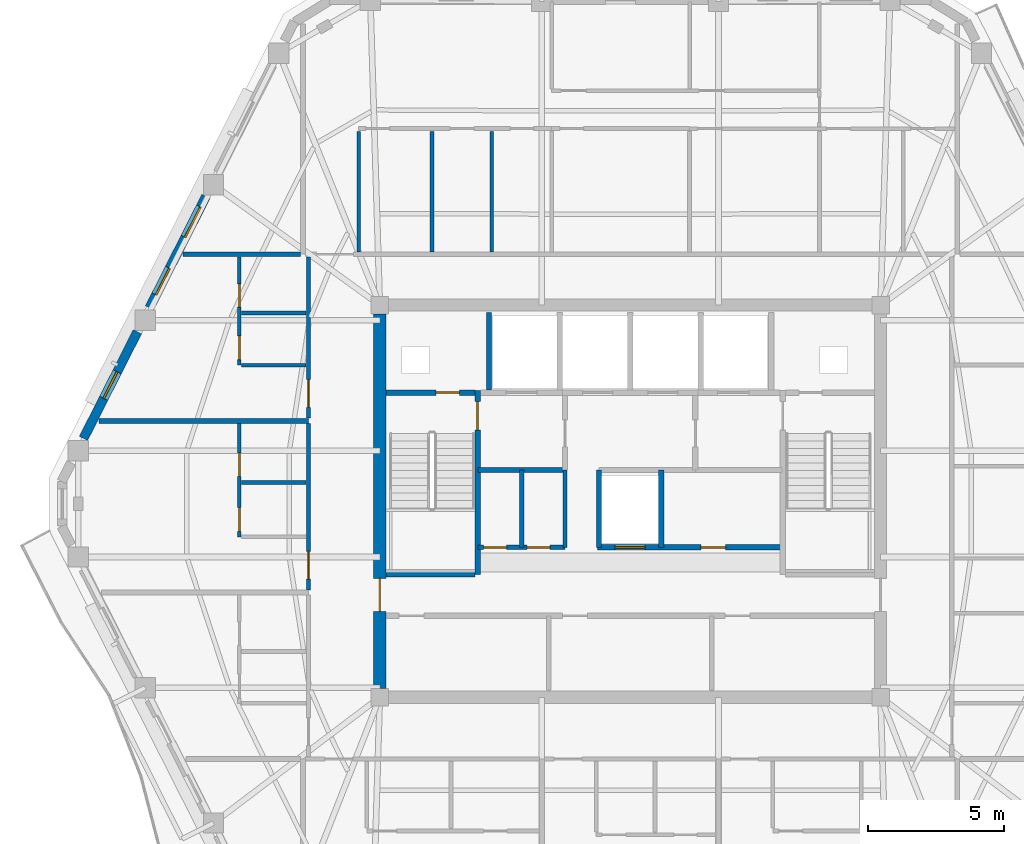
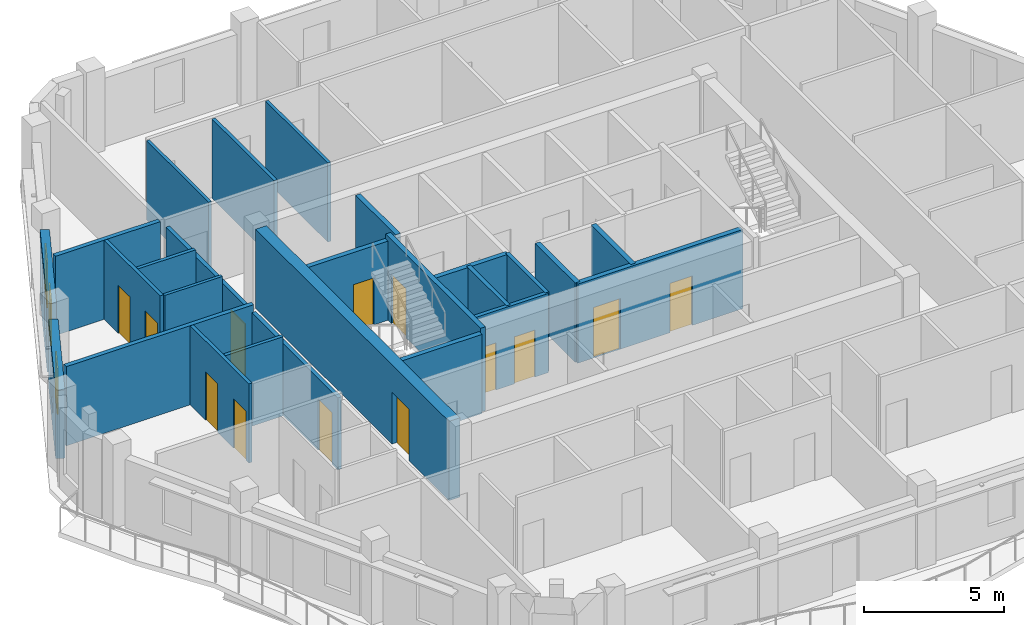
# One storey, part 5 of 11: 26 walls, 13 doors, 3 windows, 16 openings.
"""IFC4 building model written with IfcOpenShell, lengths in metres."""

from ifc_helpers import new_model, si_unit, direction, frame, frame_2d, origin, place, context, subcontext, project, spatial, rectangle, extrude, material, layer, layer_set, type_object, element, fill, save


model = new_model("IFC4")

# Units and contexts
model_context = context("Model", 3, precision=1e-05, world=origin(), true_north=direction((0.0, 1.0)))
body_context = subcontext(model_context, "Body", "Model", "MODEL_VIEW")
ifc_project = project(units=[si_unit("LENGTHUNIT", "METRE"), si_unit("AREAUNIT", "SQUARE_METRE"), si_unit("VOLUMEUNIT", "CUBIC_METRE"), si_unit("PLANEANGLEUNIT", "RADIAN"), si_unit("MASSUNIT", "GRAM", prefix="KILO")], contexts=[model_context])

# Site, building, storey
site_placement = place(None, origin())
site = spatial("IfcSite", under=ifc_project, at=site_placement, CompositionType="ELEMENT")
building_placement = place(site_placement, origin())
building = spatial("IfcBuilding", under=site, at=building_placement, Name="Cinnabar Lancet Tower", CompositionType="ELEMENT")
storey_placement = place(building_placement, frame((0.0, 0.0, 241.60009765625)))
storey = spatial("IfcBuildingStorey", under=building, at=storey_placement, Name="L64", CompositionType="ELEMENT", Elevation=241.60009765625)

# Wall, openings, doors
ifc_material_1 = material(Name="Acoustic twin-stud gypsum partition", Category="gypsum")
ifc_layer_1 = layer(ifc_material_1, 0.159912109375)
ifc_layer_set_1 = layer_set([ifc_layer_1], Name="Acoustic twin-stud gypsum partition")
wall_type_1 = type_object("IfcWallType", Name="ARC-WL-CORR-160", PredefinedType="PARTITIONING", material=ifc_layer_set_1)
wall_1_placement = place(storey_placement, frame((26.800048828125, 24.199951171875, 0.0), z_axis=(0.0, 0.0, 1.0), x_axis=(1.0, 0.0, 0.0)))
wall_1 = element("IfcWall", 1, at=wall_1_placement, inside=storey, type_object=wall_type_1, Name="CW-REC5S-L64", PredefinedType="PARTITIONING", context=body_context, shape_type="SweptSolid", body=[
    extrude(rectangle(XDim=3.199951171875, YDim=0.159912109375, at=frame_2d((1.60009765625, 0.0))), origin(), (0.0, 0.0, 1.0), 3.449951171875),
])
opening_1_placement = place(wall_1_placement, frame((0.199951171875, 0.0, 0.0)))
opening_1 = element("IfcOpeningElement", 2, at=opening_1_placement, cuts=wall_1, Name="Opening PD-02", PredefinedType="OPENING", context=body_context, shape_type="SweptSolid", body=[
    extrude(rectangle(XDim=0.85009765625, YDim=2.050048828125, at=frame_2d((0.425048828125, 1.02490234375))), frame((0.0, 0.08984375, 0.0), z_axis=(0.0, -1.0, 0.0), x_axis=(1.0, 0.0, 0.0)), (0.0, 0.0, 1.0), 0.179931640625),
])
opening_2_placement = place(wall_1_placement, frame((1.800048828125, 0.0, 0.0)))
opening_2 = element("IfcOpeningElement", 3, at=opening_2_placement, cuts=wall_1, Name="Opening PD-02", PredefinedType="OPENING", context=body_context, shape_type="SweptSolid", body=[
    extrude(rectangle(XDim=0.85009765625, YDim=2.050048828125, at=frame_2d((0.425048828125, 1.02490234375))), frame((0.0, 0.08984375, 0.0), z_axis=(0.0, -1.0, 0.0), x_axis=(1.0, 0.0, 0.0)), (0.0, 0.0, 1.0), 0.179931640625),
])
ifc_material_2 = material(Name="Fire-rated steel riser access door", Category="steel")
door_type_1 = type_object("IfcDoorType", Name="ARC-DR-RISER", OperationType="NOTDEFINED", PredefinedType="DOOR", material=ifc_material_2)
door_1_placement = place(opening_1_placement, origin())
door_1 = element("IfcDoor", 4, at=door_1_placement, inside=storey, type_object=door_type_1, Name="DR-L64-REC5A", OperationType="SINGLE_SWING_LEFT", OverallHeight=2.050048828125, OverallWidth=0.85009765625, PredefinedType="DOOR", context=body_context, shape_type="SweptSolid", body=[
    extrude(rectangle(XDim=0.85009765625, YDim=2.050048828125, at=frame_2d((0.425048828125, 1.02490234375))), frame((0.0, 0.02490234375, 0.0), z_axis=(0.0, -1.0, 0.0), x_axis=(1.0, 0.0, 0.0)), (0.0, 0.0, 1.0), 0.050048828125),
])
fill(opening_1, door_1)
door_2_placement = place(opening_2_placement, origin())
door_2 = element("IfcDoor", 5, at=door_2_placement, inside=storey, type_object=door_type_1, Name="DR-L64-REC5B", OperationType="SINGLE_SWING_RIGHT", OverallHeight=2.050048828125, OverallWidth=0.85009765625, PredefinedType="DOOR", context=body_context, shape_type="SweptSolid", body=[
    extrude(rectangle(XDim=0.85009765625, YDim=2.050048828125, at=frame_2d((0.425048828125, 1.02490234375))), frame((0.0, 0.02490234375, 0.0), z_axis=(0.0, -1.0, 0.0), x_axis=(1.0, 0.0, 0.0)), (0.0, 0.0, 1.0), 0.050048828125),
])
fill(opening_2, door_2)

# Walls
for number, where, z_axis, x_axis, name in (
    (6, (30.0, 24.199951171875, 0.0), (0.0, 0.0, 1.0), (0.0, 1.0, 0.0), "CW-REC5E-L64"),
    (7, (28.39990234375, 24.199951171875, 0.0), (0.0, 0.0, 1.0), (0.0, 1.0, 0.0), "CW-REC5D-L64"),
):
    element("IfcWall", number, at=place(storey_placement, frame(where, z_axis=z_axis, x_axis=x_axis)), inside=storey, type_object=wall_type_1, Name=name, PredefinedType="PARTITIONING", context=body_context, shape_type="SweptSolid", body=[
        extrude(rectangle(XDim=2.85009765625, YDim=0.159912109375, at=frame_2d((1.425048828125, 0.0))), origin(), (0.0, 0.0, 1.0), 3.449951171875),
    ])

# Wall, opening, door
wall_2_placement = place(storey_placement, frame((20.550048828125, 22.633056640625, 0.0), z_axis=(0.0, 0.0, 1.0), x_axis=(0.0, 1.0, 0.0)))
wall_2 = element("IfcWall", 8, at=wall_2_placement, inside=storey, type_object=wall_type_1, Name="UW-L64-W02-COR", PredefinedType="PARTITIONING", context=body_context, shape_type="SweptSolid", body=[
    extrude(rectangle(XDim=6.134033203125, YDim=0.159912109375, at=frame_2d((3.06689453125, 0.0))), origin(), (0.0, 0.0, 1.0), 3.136962890625),
])
opening_3_placement = place(wall_2_placement, frame((0.39990234375, 0.0, 0.0)))
opening_3 = element("IfcOpeningElement", 9, at=opening_3_placement, cuts=wall_2, Name="Opening UD-01", PredefinedType="OPENING", context=body_context, shape_type="SweptSolid", body=[
    extrude(rectangle(XDim=1.02001953125, YDim=2.25, at=frame_2d((0.510009765625, 1.125))), frame((0.0, 0.08984375, 0.0), z_axis=(0.0, -1.0, 0.0), x_axis=(1.0, 0.0, 0.0)), (0.0, 0.0, 1.0), 0.179931640625),
])
ifc_material_3 = material(Name="Solid timber fire-rated apartment entrance door", Category="wood")
door_type_2 = type_object("IfcDoorType", Name="ARC-DR-UNIT", OperationType="NOTDEFINED", PredefinedType="DOOR", material=ifc_material_3)
door_3_placement = place(opening_3_placement, origin())
door_3 = element("IfcDoor", 10, at=door_3_placement, inside=storey, type_object=door_type_2, Name="DR-L64-W02-ENT", OperationType="SINGLE_SWING_LEFT", OverallHeight=2.25, OverallWidth=1.02001953125, PredefinedType="DOOR", context=body_context, shape_type="SweptSolid", body=[
    extrude(rectangle(XDim=1.02001953125, YDim=2.25, at=frame_2d((0.510009765625, 1.125))), frame((0.0, 0.02490234375, 0.0), z_axis=(0.0, -1.0, 0.0), x_axis=(1.0, 0.0, 0.0)), (0.0, 0.0, 1.0), 0.050048828125),
])
fill(opening_3, door_3)

wall_3_placement = place(storey_placement, frame((20.550048828125, 28.95703125, 0.0), z_axis=(0.0, 0.0, 1.0), x_axis=(0.0, 1.0, 0.0)))
wall_3 = element("IfcWall", 11, at=wall_3_placement, inside=storey, type_object=wall_type_1, Name="UW-L64-W03-COR", PredefinedType="PARTITIONING", context=body_context, shape_type="SweptSolid", body=[
    extrude(rectangle(XDim=5.947998046875, YDim=0.159912109375, at=frame_2d((2.97412109375, 0.0))), origin(), (0.0, 0.0, 1.0), 3.136962890625),
])
opening_4_placement = place(wall_3_placement, frame((0.39990234375, 0.0, 0.0)))
opening_4 = element("IfcOpeningElement", 12, at=opening_4_placement, cuts=wall_3, Name="Opening UD-01", PredefinedType="OPENING", context=body_context, shape_type="SweptSolid", body=[
    extrude(rectangle(XDim=1.02001953125, YDim=2.25, at=frame_2d((0.510009765625, 1.125))), frame((0.0, 0.08984375, 0.0), z_axis=(0.0, -1.0, 0.0), x_axis=(1.0, 0.0, 0.0)), (0.0, 0.0, 1.0), 0.179931640625),
])
door_4_placement = place(opening_4_placement, origin())
door_4 = element("IfcDoor", 13, at=door_4_placement, inside=storey, type_object=door_type_2, Name="DR-L64-W03-ENT", OperationType="SINGLE_SWING_RIGHT", OverallHeight=2.25, OverallWidth=1.02001953125, PredefinedType="DOOR", context=body_context, shape_type="SweptSolid", body=[
    extrude(rectangle(XDim=1.02001953125, YDim=2.25, at=frame_2d((0.510009765625, 1.125))), frame((0.0, 0.02490234375, 0.0), z_axis=(0.0, -1.0, 0.0), x_axis=(1.0, 0.0, 0.0)), (0.0, 0.0, 1.0), 0.050048828125),
])
fill(opening_4, door_4)

# Walls
ifc_material_4 = material(Name="Fire-rated twin-frame acoustic drywall", Category="gypsum")
ifc_layer_2 = layer(ifc_material_4, 0.179931640625)
ifc_layer_set_2 = layer_set([ifc_layer_2], Name="Fire-rated twin-frame acoustic drywall")
wall_type_2 = type_object("IfcWallType", Name="ARC-WL-PARTY-180", PredefinedType="PARTITIONING", material=ifc_layer_set_2)
wall_4_placement = place(storey_placement, frame((15.93310546875, 35.0, 0.0), z_axis=(0.0, 0.0, 1.0), x_axis=(1.0, 0.0, 0.0)))
element("IfcWall", 14, at=wall_4_placement, inside=storey, type_object=wall_type_2, Name="PW-L64-WNB", PredefinedType="PARTITIONING", context=body_context, shape_type="SweptSolid", body=[
    extrude(rectangle(XDim=4.32177734375, YDim=0.179931640625, at=frame_2d((2.160888671875, 0.0))), origin(), (0.0, 0.0, 1.0), 3.449951171875),
])
wall_5_placement = place(storey_placement, frame((12.8291015625, 28.862060546875, 0.0), z_axis=(0.0, 0.0, 1.0), x_axis=(1.0, 0.0, 0.0)))
element("IfcWall", 15, at=wall_5_placement, inside=storey, type_object=wall_type_2, Name="PW-L64-WPTY-2", PredefinedType="PARTITIONING", context=body_context, shape_type="SweptSolid", body=[
    extrude(rectangle(XDim=7.720947265625, YDim=0.179931640625, at=frame_2d((3.8603515625, 0.0))), origin(), (0.0, 0.0, 1.0), 3.449951171875),
])
ifc_material_5 = material(Name="Autoclaved aerated concrete blockwork", Category="masonry")
ifc_layer_3 = layer(ifc_material_5, 0.199951171875)
ifc_layer_set_3 = layer_set([ifc_layer_3], Name="Autoclaved aerated concrete blockwork")
wall_type_3 = type_object("IfcWallType", Name="ARC-WL-SHAFT-200", PredefinedType="PLUMBINGWALL", material=ifc_layer_set_3)
wall_6_placement = place(storey_placement, frame((23.405029296875, 23.199951171875, 0.0), z_axis=(0.0, 0.0, 1.0), x_axis=(1.0, 0.0, 0.0)))
element("IfcWall", 16, at=wall_6_placement, inside=storey, type_object=wall_type_3, Name="CW-ST1S-L64", PredefinedType="PLUMBINGWALL", context=body_context, shape_type="SweptSolid", body=[
    extrude(rectangle(XDim=3.27001953125, YDim=0.199951171875, at=frame_2d((1.635009765625, 0.0))), origin(), (0.0, 0.0, 1.0), 3.449951171875),
])

# Wall, opening, door
wall_7_placement = place(storey_placement, frame((23.405029296875, 29.89990234375, 0.0), z_axis=(0.0, 0.0, 1.0), x_axis=(1.0, 0.0, 0.0)))
wall_7 = element("IfcWall", 17, at=wall_7_placement, inside=storey, type_object=wall_type_3, Name="CW-NSH-W-L64", PredefinedType="PLUMBINGWALL", context=body_context, shape_type="SweptSolid", body=[
    extrude(rectangle(XDim=3.27001953125, YDim=0.199951171875, at=frame_2d((1.635009765625, 0.0))), origin(), (0.0, 0.0, 1.0), 3.449951171875),
])
opening_5_placement = place(wall_7_placement, frame((1.85009765625, 0.0, 0.0)))
opening_5 = element("IfcOpeningElement", 18, at=opening_5_placement, cuts=wall_7, Name="Opening PD-02", PredefinedType="OPENING", context=body_context, shape_type="SweptSolid", body=[
    extrude(rectangle(XDim=0.85009765625, YDim=2.050048828125, at=frame_2d((0.425048828125, 1.02490234375))), frame((0.0, 0.10986328125, 0.0), z_axis=(0.0, -1.0, 0.0), x_axis=(1.0, 0.0, 0.0)), (0.0, 0.0, 1.0), 0.219970703125),
])
door_5_placement = place(opening_5_placement, origin())
door_5 = element("IfcDoor", 19, at=door_5_placement, inside=storey, type_object=door_type_1, Name="L64 West Riser Access Door", OperationType="SINGLE_SWING_LEFT", OverallHeight=2.050048828125, OverallWidth=0.85009765625, PredefinedType="DOOR", context=body_context, shape_type="SweptSolid", body=[
    extrude(rectangle(XDim=0.85009765625, YDim=2.050048828125, at=frame_2d((0.425048828125, 1.02490234375))), frame((0.0, 0.02490234375, 0.0), z_axis=(0.0, -1.0, 0.0), x_axis=(1.0, 0.0, 0.0)), (0.0, 0.0, 1.0), 0.050048828125),
])
fill(opening_5, door_5)

# Walls
wall_8_placement = place(storey_placement, frame((27.199951171875, 30.0, 0.0), z_axis=(0.0, 0.0, 1.0), x_axis=(0.0, 1.0, 0.0)))
element("IfcWall", 20, at=wall_8_placement, inside=storey, type_object=wall_type_3, Name="CW-NSH-D1-L64", PredefinedType="PLUMBINGWALL", context=body_context, shape_type="SweptSolid", body=[
    extrude(rectangle(XDim=2.85009765625, YDim=0.199951171875, at=frame_2d((1.425048828125, 0.0))), origin(), (0.0, 0.0, 1.0), 3.449951171875),
])
wall_9_placement = place(storey_placement, frame((26.800048828125, 27.050048828125, 0.0), z_axis=(0.0, 0.0, 1.0), x_axis=(1.0, 0.0, 0.0)))
element("IfcWall", 21, at=wall_9_placement, inside=storey, type_object=wall_type_3, Name="CW-FF1S-L64", PredefinedType="PLUMBINGWALL", context=body_context, shape_type="SweptSolid", body=[
    extrude(rectangle(XDim=3.199951171875, YDim=0.199951171875, at=frame_2d((1.60009765625, 0.0))), origin(), (0.0, 0.0, 1.0), 3.449951171875),
])

# Wall, openings, doors
wall_10_placement = place(storey_placement, frame((31.199951171875, 24.199951171875, 0.0), z_axis=(0.0, 0.0, 1.0), x_axis=(1.0, 0.0, 0.0)))
wall_10 = element("IfcWall", 22, at=wall_10_placement, inside=storey, type_object=wall_type_3, Name="CW-PL96S-L64", PredefinedType="PLUMBINGWALL", context=body_context, shape_type="SweptSolid", body=[
    extrude(rectangle(XDim=6.800048828125, YDim=0.199951171875, at=frame_2d((3.39990234375, 0.0))), origin(), (0.0, 0.0, 1.0), 3.449951171875),
])
opening_6_placement = place(wall_10_placement, frame((0.64990234375, 0.0, 0.0)))
opening_6 = element("IfcOpeningElement", 23, at=opening_6_placement, cuts=wall_10, Name="Opening LD-01", PredefinedType="OPENING", context=body_context, shape_type="SweptSolid", body=[
    extrude(rectangle(XDim=1.10009765625, YDim=2.199951171875, at=frame_2d((0.550048828125, 1.10009765625))), frame((0.0, 0.10986328125, 0.0), z_axis=(0.0, -1.0, 0.0), x_axis=(1.0, 0.0, 0.0)), (0.0, 0.0, 1.0), 0.219970703125),
])
opening_7_placement = place(wall_10_placement, frame((3.800048828125, 0.0, 0.0)))
opening_7 = element("IfcOpeningElement", 24, at=opening_7_placement, cuts=wall_10, Name="Opening RD-01", PredefinedType="OPENING", context=body_context, shape_type="SweptSolid", body=[
    extrude(rectangle(XDim=0.919921875, YDim=2.14990234375, at=frame_2d((0.4599609375, 1.074951171875))), frame((0.0, 0.10986328125, 0.0), z_axis=(0.0, -1.0, 0.0), x_axis=(1.0, 0.0, 0.0)), (0.0, 0.0, 1.0), 0.219970703125),
])
ifc_material_6 = material(Name="Brushed stainless steel sliding lift door", Category="steel")
door_type_3 = type_object("IfcDoorType", Name="ARC-DR-LD-PASS", OperationType="NOTDEFINED", PredefinedType="DOOR", material=ifc_material_6)
door_6_placement = place(opening_6_placement, origin())
door_6 = element("IfcDoor", 25, at=door_6_placement, inside=storey, type_object=door_type_3, Name="L64 Lift PL-9 Landing Door", OperationType="DOUBLE_DOOR_SLIDING", OverallHeight=2.199951171875, OverallWidth=1.10009765625, PredefinedType="DOOR", context=body_context, shape_type="SweptSolid", body=[
    extrude(rectangle(XDim=1.10009765625, YDim=2.199951171875, at=frame_2d((0.550048828125, 1.10009765625))), frame((0.0, 0.02490234375, 0.0), z_axis=(0.0, -1.0, 0.0), x_axis=(1.0, 0.0, 0.0)), (0.0, 0.0, 1.0), 0.050048828125),
])
fill(opening_6, door_6)
ifc_material_7 = material(Name="Engineered timber bedroom door", Category="wood")
door_type_4 = type_object("IfcDoorType", Name="ARC-DR-ROOM", OperationType="NOTDEFINED", PredefinedType="DOOR", material=ifc_material_7)
door_7_placement = place(opening_7_placement, origin())
door_7 = element("IfcDoor", 26, at=door_7_placement, inside=storey, type_object=door_type_4, Name="DR-L64-REC6", OperationType="SINGLE_SWING_RIGHT", OverallHeight=2.14990234375, OverallWidth=0.919921875, PredefinedType="DOOR", context=body_context, shape_type="SweptSolid", body=[
    extrude(rectangle(XDim=0.919921875, YDim=2.14990234375, at=frame_2d((0.4599609375, 1.074951171875))), frame((0.0, 0.02490234375, 0.0), z_axis=(0.0, -1.0, 0.0), x_axis=(1.0, 0.0, 0.0)), (0.0, 0.0, 1.0), 0.050048828125),
])
fill(opening_7, door_7)

# Walls
for number, where, z_axis, x_axis, name in (
    (27, (31.25, 24.199951171875, 0.0), (0.0, 0.0, 1.0), (0.0, 1.0, 0.0), "CW-PL9W-L64"),
    (28, (33.550048828125, 24.199951171875, 0.0), (0.0, 0.0, 1.0), (0.0, 1.0, 0.0), "CW-PL9E-L64"),
):
    element("IfcWall", number, at=place(storey_placement, frame(where, z_axis=z_axis, x_axis=x_axis)), inside=storey, type_object=wall_type_3, Name=name, PredefinedType="PLUMBINGWALL", context=body_context, shape_type="SweptSolid", body=[
        extrude(rectangle(XDim=2.85009765625, YDim=0.199951171875, at=frame_2d((1.425048828125, 0.0))), origin(), (0.0, 0.0, 1.0), 3.449951171875),
    ])
ifc_material_8 = material(Name="Gypsum plasterboard stud partition", Category="gypsum")
ifc_layer_4 = layer(ifc_material_8, 0.125)
ifc_layer_set_4 = layer_set([ifc_layer_4], Name="Gypsum plasterboard stud partition")
wall_type_4 = type_object("IfcWallType", Name="ARC-WL-UNIT-125", PredefinedType="PARTITIONING", material=ifc_layer_set_4)
for number, where, z_axis, x_axis, name in (
    (29, (22.39990234375, 35.0849609375, 0.0), (0.0, 0.0, 1.0), (0.0, 1.0, 0.0), "UW-L64-N01-FOYE"),
    (30, (27.304931640625, 35.0849609375, 0.0), (0.0, 0.0, 1.0), (0.0, 1.0, 0.0), "UW-L64-N01-STD"),
):
    element("IfcWall", number, at=place(storey_placement, frame(where, z_axis=z_axis, x_axis=x_axis)), inside=storey, type_object=wall_type_4, Name=name, PredefinedType="PARTITIONING", context=body_context, shape_type="SweptSolid", body=[
        extrude(rectangle(XDim=4.43896484375, YDim=0.125, at=frame_2d((2.219482421875, 0.0))), origin(), (0.0, 0.0, 1.0), 3.449951171875),
    ])
wall_11_placement = place(storey_placement, frame((18.0849609375, 30.912109375, 0.0), z_axis=(0.0, 0.0, 1.0), x_axis=(1.0, 0.0, 0.0)))
element("IfcWall", 31, at=wall_11_placement, inside=storey, type_object=wall_type_4, Name="UW-L64-W03-FOYN", PredefinedType="PARTITIONING", context=body_context, shape_type="SweptSolid", body=[
    extrude(rectangle(XDim=2.380126953125, YDim=0.125, at=frame_2d((1.18994140625, 0.0))), origin(), (0.0, 0.0, 1.0), 3.449951171875),
])
ifc_material_9 = material(Name="Moisture-resistant cement-board plumbing wall", Category="masonry")
ifc_layer_5 = layer(ifc_material_9, 0.139892578125)
ifc_layer_set_5 = layer_set([ifc_layer_5], Name="Moisture-resistant cement-board plumbing wall")
wall_type_5 = type_object("IfcWallType", Name="ARC-WL-WET-140", PredefinedType="PLUMBINGWALL", material=ifc_layer_set_5)
wall_12_placement = place(storey_placement, frame((25.10107421875, 35.0849609375, 0.0), z_axis=(0.0, 0.0, 1.0), x_axis=(0.0, 1.0, 0.0)))
element("IfcWall", 32, at=wall_12_placement, inside=storey, type_object=wall_type_5, Name="UW-L64-N01-KDV", PredefinedType="PLUMBINGWALL", context=body_context, shape_type="SweptSolid", body=[
    extrude(rectangle(XDim=4.43896484375, YDim=0.139892578125, at=frame_2d((2.219482421875, 0.0))), origin(), (0.0, 0.0, 1.0), 3.449951171875),
])

# Wall, openings, doors
wall_13_placement = place(storey_placement, frame((18.0, 24.587890625, 0.0), z_axis=(0.0, 0.0, 1.0), x_axis=(0.0, 1.0, 0.0)))
wall_13 = element("IfcWall", 33, at=wall_13_placement, inside=storey, type_object=wall_type_5, Name="UW-L64-W02-SPL", PredefinedType="PLUMBINGWALL", context=body_context, shape_type="SweptSolid", body=[
    extrude(rectangle(XDim=4.17919921875, YDim=0.139892578125, at=frame_2d((2.089599609375, 0.0))), origin(), (0.0, 0.0, 1.0), 3.449951171875),
])
opening_8_placement = place(wall_13_placement, frame((2.22607421875, 0.0, 0.0)))
opening_8 = element("IfcOpeningElement", 34, at=opening_8_placement, cuts=wall_13, Name="Opening BD-01", PredefinedType="OPENING", context=body_context, shape_type="SweptSolid", body=[
    extrude(rectangle(XDim=0.860107421875, YDim=2.10009765625, at=frame_2d((0.43017578125, 1.050048828125))), frame((0.0, 0.079833984375, 0.0), z_axis=(0.0, -1.0, 0.0), x_axis=(1.0, 0.0, 0.0)), (0.0, 0.0, 1.0), 0.159912109375),
])
opening_9_placement = place(wall_13_placement, frame((0.199951171875, 0.0, 0.0)))
opening_9 = element("IfcOpeningElement", 35, at=opening_9_placement, cuts=wall_13, Name="Opening RD-02", PredefinedType="OPENING", context=body_context, shape_type="SweptSolid", body=[
    extrude(rectangle(XDim=0.8798828125, YDim=2.14990234375, at=frame_2d((0.43994140625, 1.074951171875))), frame((0.0, 0.079833984375, 0.0), z_axis=(0.0, -1.0, 0.0), x_axis=(1.0, 0.0, 0.0)), (0.0, 0.0, 1.0), 0.159912109375),
])
ifc_material_10 = material(Name="Moisture-resistant timber bathroom door", Category="wood")
door_type_5 = type_object("IfcDoorType", Name="ARC-DR-BATH", OperationType="NOTDEFINED", PredefinedType="DOOR", material=ifc_material_10)
door_8_placement = place(opening_8_placement, origin())
door_8 = element("IfcDoor", 36, at=door_8_placement, inside=storey, type_object=door_type_5, Name="DR-L64-W02-BTH", OperationType="SINGLE_SWING_LEFT", OverallHeight=2.10009765625, OverallWidth=0.860107421875, PredefinedType="DOOR", context=body_context, shape_type="SweptSolid", body=[
    extrude(rectangle(XDim=0.860107421875, YDim=2.10009765625, at=frame_2d((0.43017578125, 1.050048828125))), frame((0.0, 0.02490234375, 0.0), z_axis=(0.0, -1.0, 0.0), x_axis=(1.0, 0.0, 0.0)), (0.0, 0.0, 1.0), 0.050048828125),
])
fill(opening_8, door_8)
ifc_material_11 = material(Name="Engineered timber study door", Category="wood")
door_type_6 = type_object("IfcDoorType", Name="ARC-DR-STUDY", OperationType="NOTDEFINED", PredefinedType="DOOR", material=ifc_material_11)
door_9_placement = place(opening_9_placement, origin())
door_9 = element("IfcDoor", 37, at=door_9_placement, inside=storey, type_object=door_type_6, Name="DR-L64-W02-KIT", OperationType="SINGLE_SWING_RIGHT", OverallHeight=2.14990234375, OverallWidth=0.8798828125, PredefinedType="DOOR", context=body_context, shape_type="SweptSolid", body=[
    extrude(rectangle(XDim=0.8798828125, YDim=2.14990234375, at=frame_2d((0.43994140625, 1.074951171875))), frame((0.0, 0.02490234375, 0.0), z_axis=(0.0, -1.0, 0.0), x_axis=(1.0, 0.0, 0.0)), (0.0, 0.0, 1.0), 0.050048828125),
])
fill(opening_9, door_9)

# Wall
wall_14_placement = place(storey_placement, frame((18.0849609375, 26.593994140625, 0.0), z_axis=(0.0, 0.0, 1.0), x_axis=(1.0, 0.0, 0.0)))
element("IfcWall", 38, at=wall_14_placement, inside=storey, type_object=wall_type_5, Name="UW-L64-W02-KDV", PredefinedType="PLUMBINGWALL", context=body_context, shape_type="SweptSolid", body=[
    extrude(rectangle(XDim=2.380126953125, YDim=0.139892578125, at=frame_2d((1.18994140625, 0.0))), origin(), (0.0, 0.0, 1.0), 3.449951171875),
])

# Wall, openings, doors
wall_15_placement = place(storey_placement, frame((18.0, 30.912109375, 0.0), z_axis=(0.0, 0.0, 1.0), x_axis=(0.0, 1.0, 0.0)))
wall_15 = element("IfcWall", 39, at=wall_15_placement, inside=storey, type_object=wall_type_5, Name="UW-L64-W03-SPL", PredefinedType="PLUMBINGWALL", context=body_context, shape_type="SweptSolid", body=[
    extrude(rectangle(XDim=3.992919921875, YDim=0.139892578125, at=frame_2d((1.99658203125, 0.0))), origin(), (0.0, 0.0, 1.0), 3.449951171875),
])
opening_10_placement = place(wall_15_placement, frame((2.136962890625, 0.0, 0.0)))
opening_10 = element("IfcOpeningElement", 40, at=opening_10_placement, cuts=wall_15, Name="Opening BD-01", PredefinedType="OPENING", context=body_context, shape_type="SweptSolid", body=[
    extrude(rectangle(XDim=0.860107421875, YDim=2.10009765625, at=frame_2d((0.43017578125, 1.050048828125))), frame((0.0, 0.079833984375, 0.0), z_axis=(0.0, -1.0, 0.0), x_axis=(1.0, 0.0, 0.0)), (0.0, 0.0, 1.0), 0.159912109375),
])
opening_11_placement = place(wall_15_placement, frame((0.199951171875, 0.0, 0.0)))
opening_11 = element("IfcOpeningElement", 41, at=opening_11_placement, cuts=wall_15, Name="Opening RD-02", PredefinedType="OPENING", context=body_context, shape_type="SweptSolid", body=[
    extrude(rectangle(XDim=0.8798828125, YDim=2.14990234375, at=frame_2d((0.43994140625, 1.074951171875))), frame((0.0, 0.079833984375, 0.0), z_axis=(0.0, -1.0, 0.0), x_axis=(1.0, 0.0, 0.0)), (0.0, 0.0, 1.0), 0.159912109375),
])
door_10_placement = place(opening_10_placement, origin())
door_10 = element("IfcDoor", 42, at=door_10_placement, inside=storey, type_object=door_type_5, Name="DR-L64-W03-BTH", OperationType="SINGLE_SWING_RIGHT", OverallHeight=2.10009765625, OverallWidth=0.860107421875, PredefinedType="DOOR", context=body_context, shape_type="SweptSolid", body=[
    extrude(rectangle(XDim=0.860107421875, YDim=2.10009765625, at=frame_2d((0.43017578125, 1.050048828125))), frame((0.0, 0.02490234375, 0.0), z_axis=(0.0, -1.0, 0.0), x_axis=(1.0, 0.0, 0.0)), (0.0, 0.0, 1.0), 0.050048828125),
])
fill(opening_10, door_10)
door_11_placement = place(opening_11_placement, origin())
door_11 = element("IfcDoor", 43, at=door_11_placement, inside=storey, type_object=door_type_6, Name="DR-L64-W03-KIT", OperationType="SINGLE_SWING_LEFT", OverallHeight=2.14990234375, OverallWidth=0.8798828125, PredefinedType="DOOR", context=body_context, shape_type="SweptSolid", body=[
    extrude(rectangle(XDim=0.8798828125, YDim=2.14990234375, at=frame_2d((0.43994140625, 1.074951171875))), frame((0.0, 0.02490234375, 0.0), z_axis=(0.0, -1.0, 0.0), x_axis=(1.0, 0.0, 0.0)), (0.0, 0.0, 1.0), 0.050048828125),
])
fill(opening_11, door_11)

# Wall
wall_16_placement = place(storey_placement, frame((18.0849609375, 32.8291015625, 0.0), z_axis=(0.0, 0.0, 1.0), x_axis=(1.0, 0.0, 0.0)))
element("IfcWall", 44, at=wall_16_placement, inside=storey, type_object=wall_type_5, Name="UW-L64-W03-KDV", PredefinedType="PLUMBINGWALL", context=body_context, shape_type="SweptSolid", body=[
    extrude(rectangle(XDim=2.380126953125, YDim=0.139892578125, at=frame_2d((1.18994140625, 0.0))), origin(), (0.0, 0.0, 1.0), 3.449951171875),
])

# Wall, openings, windows
ifc_material_12 = material(Name="Cinnabar red clay brick", Category="masonry")
ifc_layer_6 = layer(ifc_material_12, 0.340087890625)
ifc_layer_set_6 = layer_set([ifc_layer_6], Name="Cinnabar red clay brick")
wall_type_6 = type_object("IfcWallType", Name="ENV-WL-BRK-RED-340", PredefinedType="STANDARD", material=ifc_layer_set_6)
wall_17_placement = place(storey_placement, frame((16.76806640625, 37.126953125, 0.0), z_axis=(0.0, 0.0, 1.0), x_axis=(-0.451581819983, -0.892229712496, 0.0)))
wall_17 = element("IfcWall", 45, at=wall_17_placement, inside=storey, type_object=wall_type_6, Name="L64 Face 5 Masonry Bay Wall 3", PredefinedType="STANDARD", context=body_context, shape_type="SweptSolid", body=[
    extrude(rectangle(XDim=4.599609375, YDim=0.340087890625, at=frame_2d((2.2998046875, 0.0))), origin(), (0.0, 0.0, 1.0), 2.98291015625),
])
opening_12_placement = place(wall_17_placement, frame((0.43701171875, 0.0, 0.75)))
opening_12 = element("IfcOpeningElement", 46, at=opening_12_placement, cuts=wall_17, Name="Opening WN-03", PredefinedType="OPENING", context=body_context, shape_type="SweptSolid", body=[
    extrude(rectangle(XDim=1.25, YDim=1.949951171875, at=frame_2d((0.625, 0.97509765625))), frame((0.0, 0.179931640625, 0.0), z_axis=(0.0, -1.0, 0.0), x_axis=(1.0, 0.0, 0.0)), (0.0, 0.0, 1.0), 0.360107421875),
])
opening_13_placement = place(wall_17_placement, frame((2.962890625, 0.0, 0.75)))
opening_13 = element("IfcOpeningElement", 47, at=opening_13_placement, cuts=wall_17, Name="Opening WN-04", PredefinedType="OPENING", context=body_context, shape_type="SweptSolid", body=[
    extrude(rectangle(XDim=1.10009765625, YDim=2.0, at=frame_2d((0.550048828125, 1.0))), frame((0.0, 0.179931640625, 0.0), z_axis=(0.0, -1.0, 0.0), x_axis=(1.0, 0.0, 0.0)), (0.0, 0.0, 1.0), 0.360107421875),
])
ifc_material_13 = material(Name="Thermally broken bronze-anodized aluminium tall lancet window", Category="aluminium")
window_type_1 = type_object("IfcWindowType", Name="ENV-WN-LANCET-1100", PartitioningType="SINGLE_PANEL", PredefinedType="WINDOW", material=ifc_material_13)
window_1_placement = place(opening_13_placement, origin())
window_1 = element("IfcWindow", 48, at=window_1_placement, inside=storey, type_object=window_type_1, Name="L64 Split-Bay Gothic Lancet Window 226", OverallHeight=2.0, OverallWidth=1.10009765625, PartitioningType="SINGLE_PANEL", PredefinedType="WINDOW", context=body_context, shape_type="SweptSolid", body=[
    extrude(rectangle(XDim=1.10009765625, YDim=2.0, at=frame_2d((0.550048828125, 1.0))), frame((0.0, 0.030029296875, 0.0), z_axis=(0.0, -1.0, 0.0), x_axis=(1.0, 0.0, 0.0)), (0.0, 0.0, 1.0), 0.06005859375),
])
fill(opening_13, window_1)
ifc_material_14 = material(Name="Thermally broken bronze-anodized aluminium low-E double glazing", Category="aluminium")
window_type_2 = type_object("IfcWindowType", Name="ENV-WN-LANCET-1250", PartitioningType="SINGLE_PANEL", PredefinedType="WINDOW", material=ifc_material_14)
window_2_placement = place(opening_12_placement, origin())
window_2 = element("IfcWindow", 49, at=window_2_placement, inside=storey, type_object=window_type_2, Name="L64 Face 5 Gothic Lancet Window 3", OverallHeight=1.949951171875, OverallWidth=1.25, PartitioningType="SINGLE_PANEL", PredefinedType="WINDOW", context=body_context, shape_type="SweptSolid", body=[
    extrude(rectangle(XDim=1.25, YDim=1.949951171875, at=frame_2d((0.625, 0.97509765625))), frame((0.0, 0.030029296875, 0.0), z_axis=(0.0, -1.0, 0.0), x_axis=(1.0, 0.0, 0.0)), (0.0, 0.0, 1.0), 0.06005859375),
])
fill(opening_12, window_2)

# Wall, opening, window
wall_18_placement = place(storey_placement, frame((14.24609375, 32.14404296875, 0.0), z_axis=(0.0, 0.0, 1.0), x_axis=(-0.451285866323, -0.892379441077, 0.0)))
wall_18 = element("IfcWall", 50, at=wall_18_placement, inside=storey, type_object=wall_type_6, Name="L64 Face 5 Masonry Bay Wall 4", PredefinedType="STANDARD", context=body_context, shape_type="SweptSolid", body=[
    extrude(rectangle(XDim=4.407470703125, YDim=0.340087890625, at=frame_2d((2.20361328125, 0.0))), origin(), (0.0, 0.0, 1.0), 2.98291015625),
])
opening_14_placement = place(wall_18_placement, frame((1.654052734375, 0.0, 0.75)))
opening_14 = element("IfcOpeningElement", 51, at=opening_14_placement, cuts=wall_18, Name="Opening WN-04", PredefinedType="OPENING", context=body_context, shape_type="SweptSolid", body=[
    extrude(rectangle(XDim=1.10009765625, YDim=2.0, at=frame_2d((0.550048828125, 1.0))), frame((0.0, 0.179931640625, 0.0), z_axis=(0.0, -1.0, 0.0), x_axis=(1.0, 0.0, 0.0)), (0.0, 0.0, 1.0), 0.360107421875),
])
window_3_placement = place(opening_14_placement, origin())
window_3 = element("IfcWindow", 52, at=window_3_placement, inside=storey, type_object=window_type_1, Name="L64 Face 5 Gothic Lancet Window 4", OverallHeight=2.0, OverallWidth=1.10009765625, PartitioningType="SINGLE_PANEL", PredefinedType="WINDOW", context=body_context, shape_type="SweptSolid", body=[
    extrude(rectangle(XDim=1.10009765625, YDim=2.0, at=frame_2d((0.550048828125, 1.0))), frame((0.0, 0.030029296875, 0.0), z_axis=(0.0, -1.0, 0.0), x_axis=(1.0, 0.0, 0.0)), (0.0, 0.0, 1.0), 0.06005859375),
])
fill(opening_14, window_3)

# Wall, opening, door
ifc_material_15 = material(Name="Concrete C50/60", Category="concrete")
ifc_layer_7 = layer(ifc_material_15, 0.449951171875)
ifc_layer_set_7 = layer_set([ifc_layer_7], Name="Concrete C50/60")
wall_type_7 = type_object("IfcWallType", Name="STR-WL-CORE-450", PredefinedType="SHEAR", material=ifc_layer_set_7)
wall_19_placement = place(storey_placement, frame((23.175048828125, 19.0, 0.0), z_axis=(0.0, 0.0, 1.0), x_axis=(0.0, 1.0, 0.0)))
wall_19 = element("IfcWall", 53, at=wall_19_placement, inside=storey, type_object=wall_type_7, Name="L64 Core Shear Wall W", PredefinedType="SHEAR", context=body_context, shape_type="SweptSolid", body=[
    extrude(rectangle(XDim=13.800048828125, YDim=0.449951171875, at=frame_2d((6.89990234375, 0.0))), origin(), (0.0, 0.0, 1.0), 3.449951171875),
])
opening_15_placement = place(wall_19_placement, frame((2.840087890625, 0.0, 0.0)))
opening_15 = element("IfcOpeningElement", 54, at=opening_15_placement, cuts=wall_19, Name="Opening FD-02", PredefinedType="OPENING", context=body_context, shape_type="SweptSolid", body=[
    extrude(rectangle(XDim=1.219970703125, YDim=2.25, at=frame_2d((0.60986328125, 1.125))), frame((0.0, 0.23486328125, 0.0), z_axis=(0.0, -1.0, 0.0), x_axis=(1.0, 0.0, 0.0)), (0.0, 0.0, 1.0), 0.469970703125),
])
ifc_material_16 = material(Name="Fire-rated double-vision core portal door", Category="wood")
door_type_7 = type_object("IfcDoorType", Name="ARC-DR-CPORT", OperationType="NOTDEFINED", PredefinedType="DOOR", material=ifc_material_16)
door_12_placement = place(opening_15_placement, origin())
door_12 = element("IfcDoor", 55, at=door_12_placement, inside=storey, type_object=door_type_7, Name="L64 West Core Lobby Fire Door", OperationType="SINGLE_SWING_RIGHT", OverallHeight=2.25, OverallWidth=1.219970703125, PredefinedType="DOOR", context=body_context, shape_type="SweptSolid", body=[
    extrude(rectangle(XDim=1.219970703125, YDim=2.25, at=frame_2d((0.60986328125, 1.125))), frame((0.0, 0.02490234375, 0.0), z_axis=(0.0, -1.0, 0.0), x_axis=(1.0, 0.0, 0.0)), (0.0, 0.0, 1.0), 0.050048828125),
])
fill(opening_15, door_12)

ifc_material_17 = material(Name="Concrete C50/60", Category="concrete")
ifc_layer_8 = layer(ifc_material_17, 0.199951171875)
ifc_layer_set_8 = layer_set([ifc_layer_8], Name="Concrete C50/60")
wall_type_8 = type_object("IfcWallType", Name="STR-WL-STAIR-200", PredefinedType="SHEAR", material=ifc_layer_set_8)
wall_20_placement = place(storey_placement, frame((26.780029296875, 23.199951171875, 0.0), z_axis=(0.0, 0.0, 1.0), x_axis=(0.0, 1.0, 0.0)))
wall_20 = element("IfcWall", 56, at=wall_20_placement, inside=storey, type_object=wall_type_8, Name="L64 Stair ST-1 Structural Enclosure Wall", PredefinedType="SHEAR", context=body_context, shape_type="SweptSolid", body=[
    extrude(rectangle(XDim=6.780029296875, YDim=0.199951171875, at=frame_2d((3.39013671875, 0.0))), origin(), (0.0, 0.0, 1.0), 3.64990234375),
])
opening_16_placement = place(wall_20_placement, frame((5.320068359375, 0.0, 0.0)))
opening_16 = element("IfcOpeningElement", 57, at=opening_16_placement, cuts=wall_20, Name="Opening SD-01", PredefinedType="OPENING", context=body_context, shape_type="SweptSolid", body=[
    extrude(rectangle(XDim=1.050048828125, YDim=2.14990234375, at=frame_2d((0.52490234375, 1.074951171875))), frame((0.0, 0.10986328125, 0.0), z_axis=(0.0, -1.0, 0.0), x_axis=(1.0, 0.0, 0.0)), (0.0, 0.0, 1.0), 0.219970703125),
])
ifc_material_18 = material(Name="Fire-rated steel stair exit door", Category="steel")
door_type_8 = type_object("IfcDoorType", Name="ARC-DR-STAIR", OperationType="NOTDEFINED", PredefinedType="DOOR", material=ifc_material_18)
door_13_placement = place(opening_16_placement, origin())
door_13 = element("IfcDoor", 58, at=door_13_placement, inside=storey, type_object=door_type_8, Name="L64 Stair ST-1 Fire Door", OperationType="SINGLE_SWING_LEFT", OverallHeight=2.14990234375, OverallWidth=1.050048828125, PredefinedType="DOOR", context=body_context, shape_type="SweptSolid", body=[
    extrude(rectangle(XDim=1.050048828125, YDim=2.14990234375, at=frame_2d((0.52490234375, 1.074951171875))), frame((0.0, 0.02490234375, 0.0), z_axis=(0.0, -1.0, 0.0), x_axis=(1.0, 0.0, 0.0)), (0.0, 0.0, 1.0), 0.050048828125),
])
fill(opening_16, door_13)

save(model, "model.ifc")
